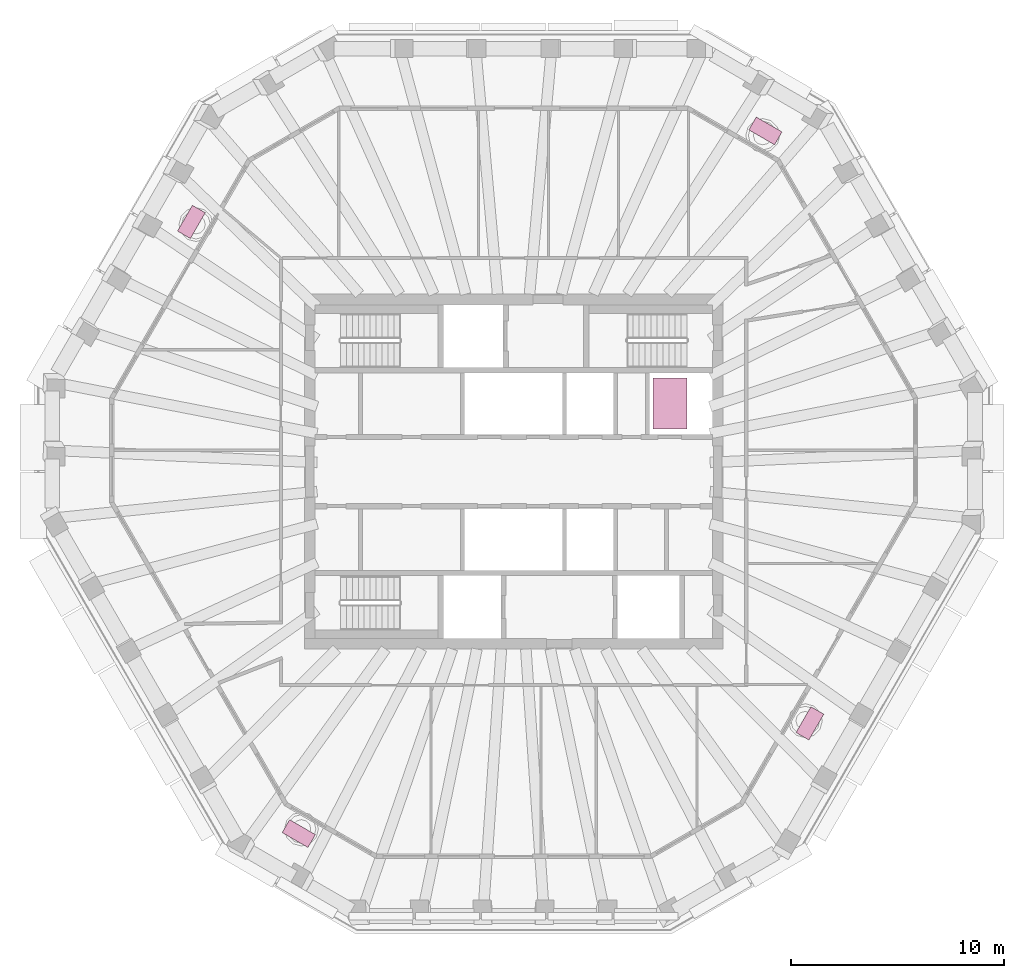
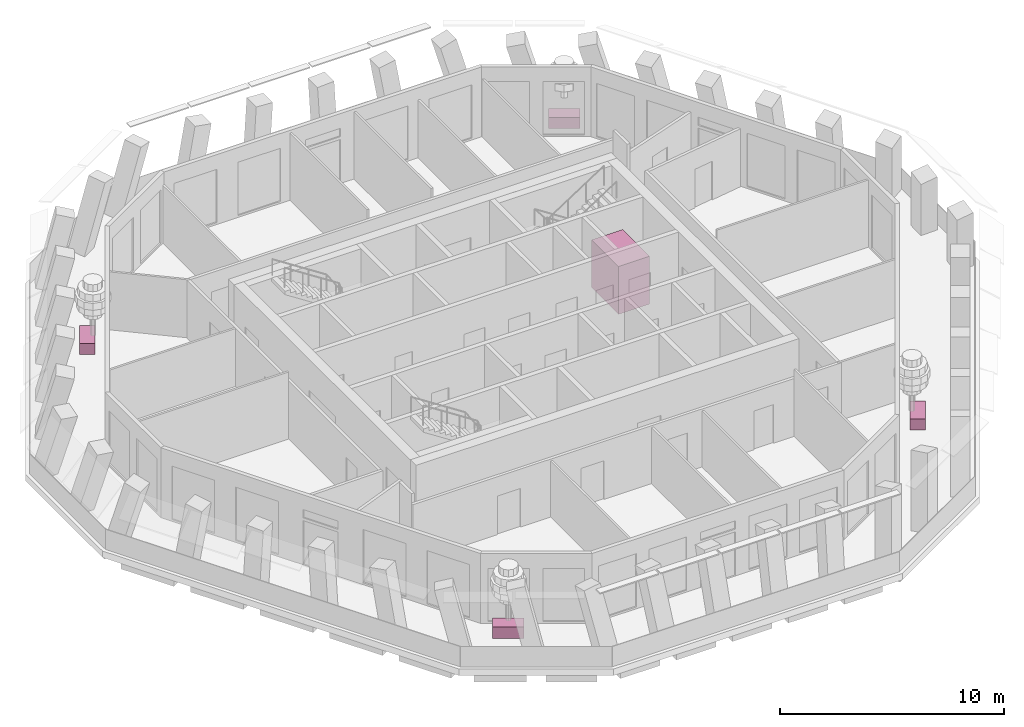
# One storey, part 10 of 11: 4 furniture elements, 1 transport element.
"""IFC4 building model written with IfcOpenShell, lengths in metres."""

from ifc_helpers import new_model, si_unit, direction, frame, origin, origin_2d, place, context, subcontext, project, spatial, rectangle, extrude, material, type_object, element, save


model = new_model("IFC4")

# Units and contexts
model_context = context("Model", 3, precision=1e-05, world=origin(), true_north=direction((0.0, 1.0)))
body_context = subcontext(model_context, "Body", "Model", "MODEL_VIEW")
ifc_project = project(units=[si_unit("LENGTHUNIT", "METRE"), si_unit("AREAUNIT", "SQUARE_METRE"), si_unit("VOLUMEUNIT", "CUBIC_METRE"), si_unit("PLANEANGLEUNIT", "RADIAN"), si_unit("MASSUNIT", "GRAM", prefix="KILO")], contexts=[model_context])

# Site, building, storey
site_placement = place(None, origin())
site = spatial("IfcSite", under=ifc_project, at=site_placement, CompositionType="ELEMENT")
building_placement = place(site_placement, origin())
building = spatial("IfcBuilding", under=site, at=building_placement, Name="Frailejon Research Tower", CompositionType="ELEMENT")
storey_placement = place(building_placement, frame((0.0, 0.0, 340.60009765625)))
storey = spatial("IfcBuildingStorey", under=building, at=storey_placement, Name="L76", CompositionType="ELEMENT", Elevation=340.60009765625)

# Furniture
ifc_material_1 = material(Name="Precast concrete C30/37 planter, terracotta", Category="masonry")
furniture_type = type_object("IfcFurnitureType", Name="Loggia planter 1400x700", AssemblyPlace="NOTDEFINED", PredefinedType="USERDEFINED", material=ifc_material_1)
for number, where, z_axis, x_axis, name in (
    (1, (11.85009765625, 16.031005859375, -0.000244140625), (0.0, 0.0, 1.0), (-0.866025403784, 0.5, 0.0), "Planter L76"),
    (2, (-15.16259765625, 11.74853515625, -0.000244140625), (0.0, 0.0, 1.0), (-0.5, -0.866025403784, 0.0), "Planter L76"),
    (3, (-10.108154296875, -17.03662109375, -0.000244140625), (0.0, 0.0, 1.0), (0.866025403784, -0.5, 0.0), "Planter L76"),
    (4, (13.943603515625, -11.84912109375, -0.000244140625), (0.0, 0.0, 1.0), (0.5, 0.866025403784, 0.0), "Planter L76"),
):
    element("IfcFurniture", number, at=place(storey_placement, frame(where, z_axis=z_axis, x_axis=x_axis)), inside=storey, type_object=furniture_type, Name=name, ObjectType="PLANTER", PredefinedType="USERDEFINED", context=body_context, shape_type="SweptSolid", body=[
        extrude(rectangle(XDim=1.39990234375, YDim=0.699951171875, at=origin_2d()), origin(), (0.0, 0.0, 1.0), 0.60009765625),
    ])

# Transport element
ifc_material_2 = material(Name="Passenger lift car")
transport_element_type = type_object("IfcTransportElementType", Name="Passenger lift car", PredefinedType="ELEVATOR", material=ifc_material_2)
transport_element_placement = place(storey_placement, frame((7.35009765625, 3.199951171875, -0.000244140625), z_axis=(0.0, 0.0, 1.0), x_axis=(1.0, 0.0, 0.0)))
element("IfcTransportElement", 5, at=transport_element_placement, inside=storey, type_object=transport_element_type, Name="Passenger lift 21", PredefinedType="ELEVATOR", context=body_context, shape_type="SweptSolid", body=[
    extrude(rectangle(XDim=1.60009765625, YDim=2.39990234375, at=origin_2d()), origin(), (0.0, 0.0, 1.0), 2.60009765625),
])

save(model, "model.ifc")
